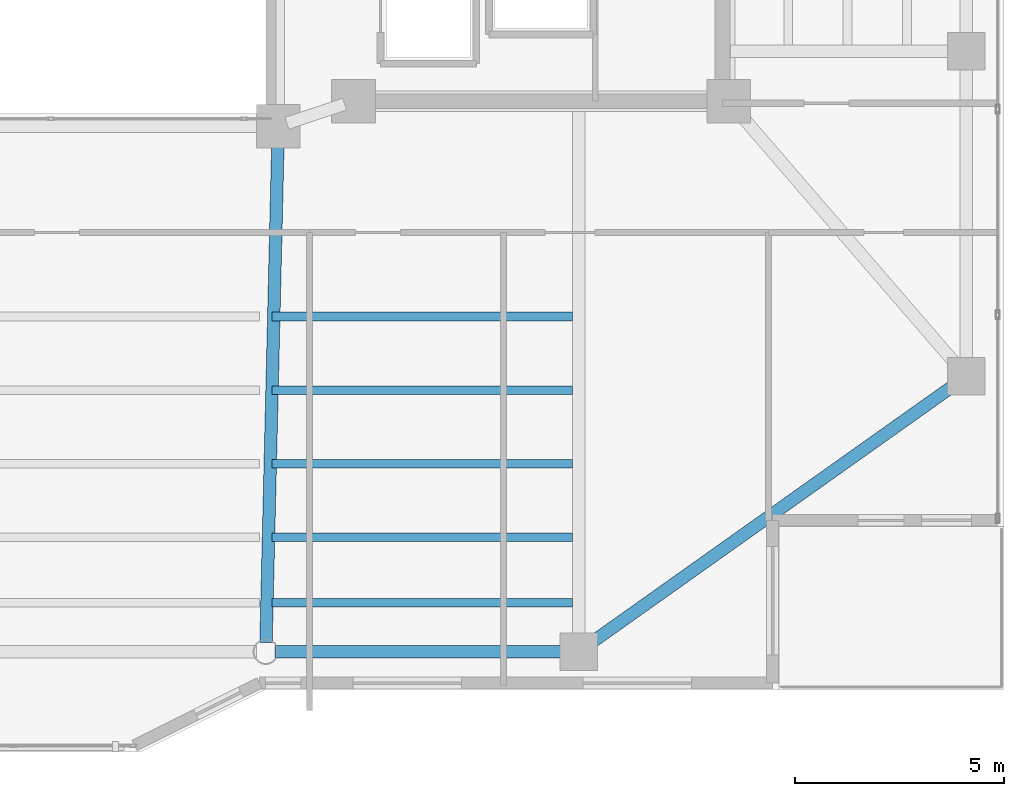
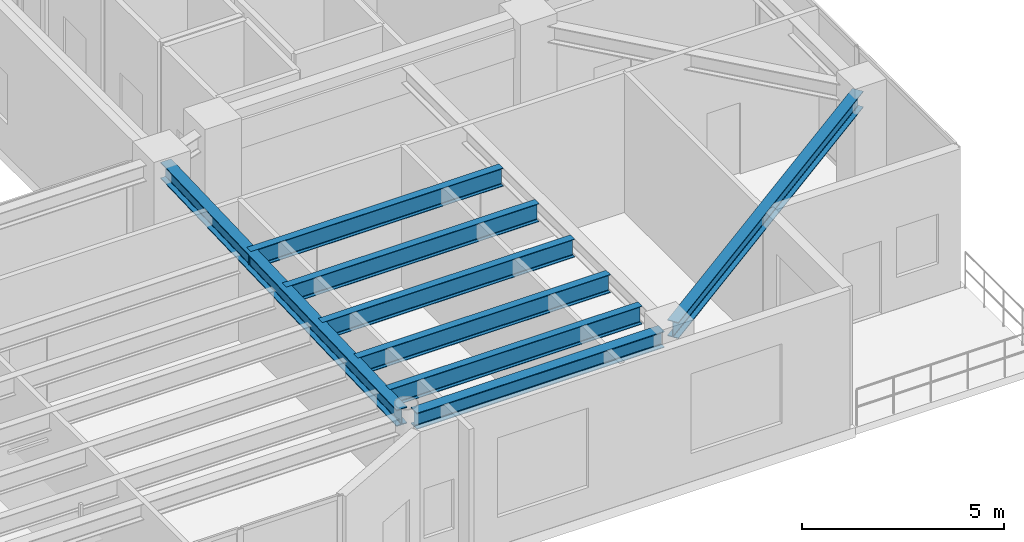
# One storey, part 11 of 33: 8 beams.
"""IFC4 building model written with IfcOpenShell, lengths in metres."""

import ifcopenshell
import ifcopenshell.guid

model = None  # the IFC model being written
_history = None  # IfcOwnerHistory: only IFC2X3 demands one
_inside = {}  # id of a spatial element -> (the spatial element, [elements in it])
_under = {}  # id of a project, library or spatial element -> (it, [spatial elements below it])
_declared = {}  # id of a project -> (the project, [libraries it declares])
_typed = {}  # id of a type object -> (the type object, [elements of that type])
_made_of = {}  # id of a material, layer set ... -> (it, [elements and type objects made of it])


def new_model(schema):
    """Start an empty IFC model of exactly this schema.

    Asked for "IFC4X3", IfcOpenShell would pick the latest addendum, in which some entities
    have other attributes; the version numbers below select the first issue.
    IFC2X3 requires an IfcOwnerHistory on every rooted entity: one is made here for all.
    """
    global model, _history
    if schema == "IFC4X3":
        model = ifcopenshell.file(schema_version=(4, 3, 0, 0))
    else:
        model = ifcopenshell.file(schema=schema)
    _inside.clear()
    _under.clear()
    _declared.clear()
    _typed.clear()
    _made_of.clear()
    _history = None
    if model.schema == "IFC2X3":
        org = make("IfcOrganization", Name="unknown")
        user = make(
            "IfcPersonAndOrganization",
            ThePerson=make("IfcPerson", FamilyName="unknown"),
            TheOrganization=org,
        )
        app = make(
            "IfcApplication",
            ApplicationDeveloper=org,
            Version="unknown",
            ApplicationFullName="unknown",
            ApplicationIdentifier="unknown",
        )
        _history = make(
            "IfcOwnerHistory",
            OwningUser=user,
            OwningApplication=app,
            ChangeAction="ADDED",
            CreationDate=0,
        )
    return model


def make(cls, **values):
    """One entity of the class cls with the attributes given. An attribute that is None is left unset."""
    return model.create_entity(
        cls, **{name: value for name, value in values.items() if value is not None}
    )


def rooted(cls, **values):
    """An entity with a GlobalId (a new one), such as an element, a storey or a relation."""
    return make(cls, GlobalId=ifcopenshell.guid.new(), OwnerHistory=_history, **values)


def si_unit(unit_type, name, prefix=None):
    """IfcSIUnit, for example si_unit("LENGTHUNIT", "METRE", prefix="MILLI")."""
    return make("IfcSIUnit", UnitType=unit_type, Prefix=prefix, Name=name)


def assignment(units):
    """IfcUnitAssignment: the units of a project."""
    return None if units is None else make("IfcUnitAssignment", Units=units)


def point(xyz):
    """IfcCartesianPoint."""
    return None if xyz is None else make("IfcCartesianPoint", Coordinates=xyz)


def direction(xyz):
    """IfcDirection."""
    return None if xyz is None else make("IfcDirection", DirectionRatios=xyz)


def frame(location, z_axis=None, x_axis=None):
    """IfcAxis2Placement3D, a coordinate frame: its origin and axes. An axis left out is left unset."""
    return make(
        "IfcAxis2Placement3D",
        Location=point(location),
        Axis=direction(z_axis),
        RefDirection=direction(x_axis),
    )


def frame_2d(location, x_axis=None):
    """IfcAxis2Placement2D, a coordinate frame in the plane: its origin and x axis."""
    return make(
        "IfcAxis2Placement2D", Location=point(location), RefDirection=direction(x_axis)
    )


def origin():
    """The frame at (0, 0, 0) with its axes left unset."""
    return frame((0.0, 0.0, 0.0))


def origin_2d():
    """The frame at (0, 0) in the plane with its x axis left unset."""
    return frame_2d((0.0, 0.0))


def place(relative_to, where):
    """IfcLocalPlacement: puts the frame where relative to a parent placement (None: the world)."""
    return make(
        "IfcLocalPlacement", PlacementRelTo=relative_to, RelativePlacement=where
    )


def context(
    kind, dimensions, precision=None, world=None, true_north=None, identifier=None
):
    """IfcGeometricRepresentationContext, for example the 3D "Model" context."""
    return make(
        "IfcGeometricRepresentationContext",
        ContextIdentifier=identifier,
        ContextType=kind,
        CoordinateSpaceDimension=dimensions,
        Precision=precision,
        WorldCoordinateSystem=world,
        TrueNorth=true_north,
    )


def subcontext(parent, identifier, kind, view, scale=None):
    """IfcGeometricRepresentationSubContext, for example "Body" below "Model"."""
    return make(
        "IfcGeometricRepresentationSubContext",
        ContextIdentifier=identifier,
        ContextType=kind,
        ParentContext=parent,
        TargetScale=scale,
        TargetView=view,
    )


def project(units=None, contexts=None):
    """IfcProject with its units and contexts."""
    return rooted(
        "IfcProject",
        Name="project",
        RepresentationContexts=contexts,
        UnitsInContext=assignment(units),
    )


def spatial(cls, under=None, at=None, **own):
    """A site, building, storey or space (cls), placed at a placement, below another one or the project."""
    s = rooted(cls, ObjectPlacement=at, **own)
    if under is not None:
        _under.setdefault(under.id(), (under, []))[1].append(s)
    return s


def profile(cls, at=None, kind="AREA", **sizes):
    """A parametric profile (cls). Its sizes go by their IFC names, for example OverallWidth=200.0."""
    return make(cls, ProfileType=kind, Position=at, **sizes)


def i_section(**sizes):
    """IfcIShapeProfileDef."""
    return profile("IfcIShapeProfileDef", **sizes)


def extrude(swept, where, along, depth):
    """IfcExtrudedAreaSolid: the profile swept, set in the frame where, extruded along a direction by depth."""
    return make(
        "IfcExtrudedAreaSolid",
        SweptArea=swept,
        Position=where,
        ExtrudedDirection=direction(along),
        Depth=depth,
    )


def shape(context_of_items, identifier, shape_type, items):
    """IfcShapeRepresentation: the items that make up one representation, for example the "Body"."""
    return make(
        "IfcShapeRepresentation",
        ContextOfItems=context_of_items,
        RepresentationIdentifier=identifier,
        RepresentationType=shape_type,
        Items=items,
    )


def material(Name=None, Category=None):
    """IfcMaterial."""
    return make("IfcMaterial", Name=Name, Category=Category)


def material_profile(
    of_material, cross_section, Name=None, Category=None, Priority=None
):
    """IfcMaterialProfile: a cross section and its material."""
    return make(
        "IfcMaterialProfile",
        Name=Name,
        Material=of_material,
        Profile=cross_section,
        Priority=Priority,
        Category=Category,
    )


def profile_set(profiles, Name=None, composite=None):
    """IfcMaterialProfileSet."""
    return make(
        "IfcMaterialProfileSet",
        Name=Name,
        MaterialProfiles=profiles,
        CompositeProfile=composite,
    )


def made_of(thing, what):
    """Note that an element or type object is made of a material, layer set ...; save() writes the relation."""
    if what is not None:
        _made_of.setdefault(what.id(), (what, []))[1].append(thing)
    return thing


def type_object(cls, material=None, **own):
    """A type object (cls), such as IfcWallType, which elements share."""
    return made_of(rooted(cls, **own), material)


def element(
    cls,
    number,
    at=None,
    inside=None,
    cuts=None,
    type_object=None,
    material=None,
    context=None,
    identifier="Body",
    shape_type=None,
    held_by="IfcProductDefinitionShape",
    body=None,
    shapes=None,
    **own,
):
    """One element of the class cls, such as IfcWall. Its Tag is "e" and its number.

    at: its placement. inside: the storey or other place that contains it. cuts: it is an
    opening in that element (IfcRelVoidsElement). A single representation is given by context,
    identifier, shape_type and body (its items); several are given by shapes. held_by: the class
    of the entity that holds the representations. save() writes the other relations.
    """
    e = rooted(cls, Tag="e%d" % number, ObjectPlacement=at, **own)
    if body is not None:
        shapes = [shape(context, identifier, shape_type, body)]
    if shapes is not None:
        e.Representation = make(held_by, Representations=shapes)
    if inside is not None:
        _inside.setdefault(inside.id(), (inside, []))[1].append(e)
    if cuts is not None:
        rooted(
            "IfcRelVoidsElement", RelatingBuildingElement=cuts, RelatedOpeningElement=e
        )
    if type_object is not None:
        _typed.setdefault(type_object.id(), (type_object, []))[1].append(e)
    return made_of(e, material)


def aggregate(whole, parts):
    """IfcRelAggregates: a whole, such as a stair, and the parts it consists of."""
    return rooted("IfcRelAggregates", RelatingObject=whole, RelatedObjects=parts)


def save(model, path):
    """Write the relations noted so far, then the file.

    IfcRelAggregates (storeys below a building ...), IfcRelContainedInSpatialStructure (elements
    in a storey), IfcRelDefinesByType, IfcRelAssociatesMaterial and IfcRelDeclares: one each for
    every whole, place, type object, material and project.
    """
    for whole, parts in _under.values():
        aggregate(whole, parts)
    for where, things in _inside.values():
        rooted(
            "IfcRelContainedInSpatialStructure",
            RelatedElements=things,
            RelatingStructure=where,
        )
    for kind, things in _typed.values():
        rooted("IfcRelDefinesByType", RelatedObjects=things, RelatingType=kind)
    for what, things in _made_of.values():
        rooted("IfcRelAssociatesMaterial", RelatedObjects=things, RelatingMaterial=what)
    for by, libraries in _declared.values():
        rooted("IfcRelDeclares", RelatingContext=by, RelatedDefinitions=libraries)
    model.write(path)


model = new_model("IFC4")

# Units and contexts
model_context = context("Model", 3, precision=1e-05, world=origin(), true_north=direction((0.0, 1.0)))
body_context = subcontext(model_context, "Body", "Model", "MODEL_VIEW")
ifc_project = project(units=[si_unit("LENGTHUNIT", "METRE"), si_unit("AREAUNIT", "SQUARE_METRE"), si_unit("VOLUMEUNIT", "CUBIC_METRE"), si_unit("PLANEANGLEUNIT", "RADIAN"), si_unit("MASSUNIT", "GRAM", prefix="KILO")], contexts=[model_context])

# Site, building, storey
site_placement = place(None, origin())
site = spatial("IfcSite", under=ifc_project, at=site_placement, CompositionType="ELEMENT")
building_placement = place(site_placement, origin())
building = spatial("IfcBuilding", under=site, at=building_placement, Name="Tarnavaz Court Tower", CompositionType="ELEMENT")
storey_placement = place(building_placement, frame((0.0, 0.0, 177.300048828125)))
storey = spatial("IfcBuildingStorey", under=building, at=storey_placement, Name="L48", CompositionType="ELEMENT", Elevation=177.300048828125)

# Beams
ifc_material = material(Name="Steel S355", Category="steel")
ifc_material_profile_1 = material_profile(ifc_material, i_section(OverallWidth=0.300048828125, OverallDepth=0.5, WebThickness=0.014404296875, FlangeThickness=0.028076171875, FilletRadius=0.027099609375, at=origin_2d()), Name="HEB 500")
ifc_profile_set_1 = profile_set([ifc_material_profile_1], Name="Steel S355")
beam_type_1 = type_object("IfcBeamType", Name="BM-G-HEB500", PredefinedType="USERDEFINED", material=ifc_profile_set_1)
beam_1_placement = place(storey_placement, frame((7.794921875, -8.02001953125, 3.949951171875), z_axis=(-0.023824748444, -0.999716150395, 0.0), x_axis=(0.999716150395, -0.023824748444, 0.0)))
element("IfcBeam", 1, at=beam_1_placement, inside=storey, type_object=beam_type_1, Name="L48 Beam RG-07", ObjectType="GIRDER", PredefinedType="USERDEFINED", context=body_context, shape_type="SweptSolid", body=[
    extrude(i_section(OverallWidth=0.300048828125, OverallDepth=0.5, WebThickness=0.014404296875, FlangeThickness=0.028076171875, FilletRadius=0.027099609375, at=origin_2d()), origin(), (0.0, 0.0, 1.0), 12.16357421875),
])
ifc_material_profile_2 = material_profile(ifc_material, i_section(OverallWidth=0.2099609375, OverallDepth=0.550048828125, WebThickness=0.010986328125, FlangeThickness=0.01708984375, FilletRadius=0.02392578125, at=origin_2d()), Name="IPE 550")
ifc_profile_set_2 = profile_set([ifc_material_profile_2], Name="Steel S355")
beam_type_2 = type_object("IfcBeamType", Name="BM-J-IPE550", PredefinedType="JOIST", material=ifc_profile_set_2)
for number, where, z_axis, x_axis, name in (
    (2, (7.64990234375, -12.364013671875, 3.925048828125), (1.0, 0.0, 0.0), (0.0, 1.0, 0.0), "L48 Beam JS1-3"),
    (3, (7.64990234375, -14.1279296875, 3.925048828125), (1.0, 0.0, 0.0), (0.0, 1.0, 0.0), "L48 Beam JS2-3"),
    (4, (7.64990234375, -15.89208984375, 3.925048828125), (1.0, 0.0, 0.0), (0.0, 1.0, 0.0), "L48 Beam JS3-3"),
    (5, (7.64990234375, -17.656005859375, 3.925048828125), (1.0, 0.0, 0.0), (0.0, 1.0, 0.0), "L48 Beam JS4-3"),
    (6, (7.64990234375, -19.22412109375, 3.925048828125), (1.0, 0.0, 0.0), (0.0, 1.0, 0.0), "L48 Beam JS5-3"),
):
    element("IfcBeam", number, at=place(storey_placement, frame(where, z_axis=z_axis, x_axis=x_axis)), inside=storey, type_object=beam_type_2, Name=name, PredefinedType="JOIST", context=body_context, shape_type="SweptSolid", body=[
        extrude(i_section(OverallWidth=0.2099609375, OverallDepth=0.550048828125, WebThickness=0.010986328125, FlangeThickness=0.01708984375, FilletRadius=0.02392578125, at=origin_2d()), origin(), (0.0, 0.0, 1.0), 7.2001953125),
    ])
ifc_material_profile_3 = material_profile(ifc_material, i_section(OverallWidth=0.300048828125, OverallDepth=0.489990234375, WebThickness=0.011962890625, FlangeThickness=0.02294921875, FilletRadius=0.027099609375, at=origin_2d()), Name="HEA 500")
ifc_profile_set_3 = profile_set([ifc_material_profile_3], Name="Steel S355")
beam_type_3 = type_object("IfcBeamType", Name="BM-SP-HEA500", PredefinedType="SPANDREL", material=ifc_profile_set_3)
beam_2_placement = place(storey_placement, frame((7.719970703125, -20.39990234375, 3.954833984375), z_axis=(1.0, 0.0, 0.0), x_axis=(0.0, 1.0, 0.0)))
element("IfcBeam", 7, at=beam_2_placement, inside=storey, type_object=beam_type_3, Name="L48 Beam PR-PS-3-PS-4", PredefinedType="SPANDREL", context=body_context, shape_type="SweptSolid", body=[
    extrude(i_section(OverallWidth=0.300048828125, OverallDepth=0.489990234375, WebThickness=0.011962890625, FlangeThickness=0.02294921875, FilletRadius=0.027099609375, at=origin_2d()), origin(), (0.0, 0.0, 1.0), 7.06005859375),
])
beam_3_placement = place(storey_placement, frame((24.12060546875, -13.92724609375, 3.954833984375), z_axis=(-0.815502059396, -0.57875417158, 0.0), x_axis=(0.57875417158, -0.815502059396, 0.0)))
element("IfcBeam", 8, at=beam_3_placement, inside=storey, type_object=beam_type_3, Name="L48 Beam PR-PE-1-PS-4", PredefinedType="SPANDREL", context=body_context, shape_type="SweptSolid", body=[
    extrude(i_section(OverallWidth=0.300048828125, OverallDepth=0.489990234375, WebThickness=0.011962890625, FlangeThickness=0.02294921875, FilletRadius=0.027099609375, at=origin_2d()), origin(), (0.0, 0.0, 1.0), 10.964111328125),
])

save(model, "model.ifc")
